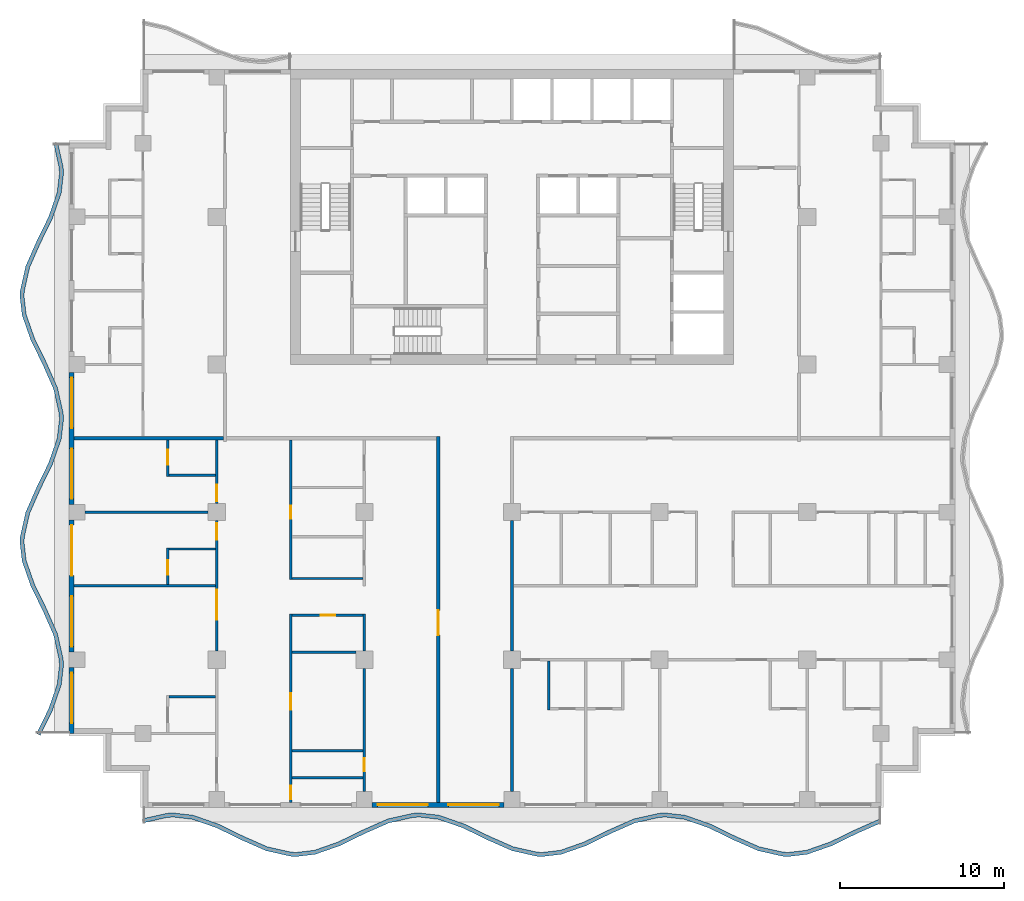
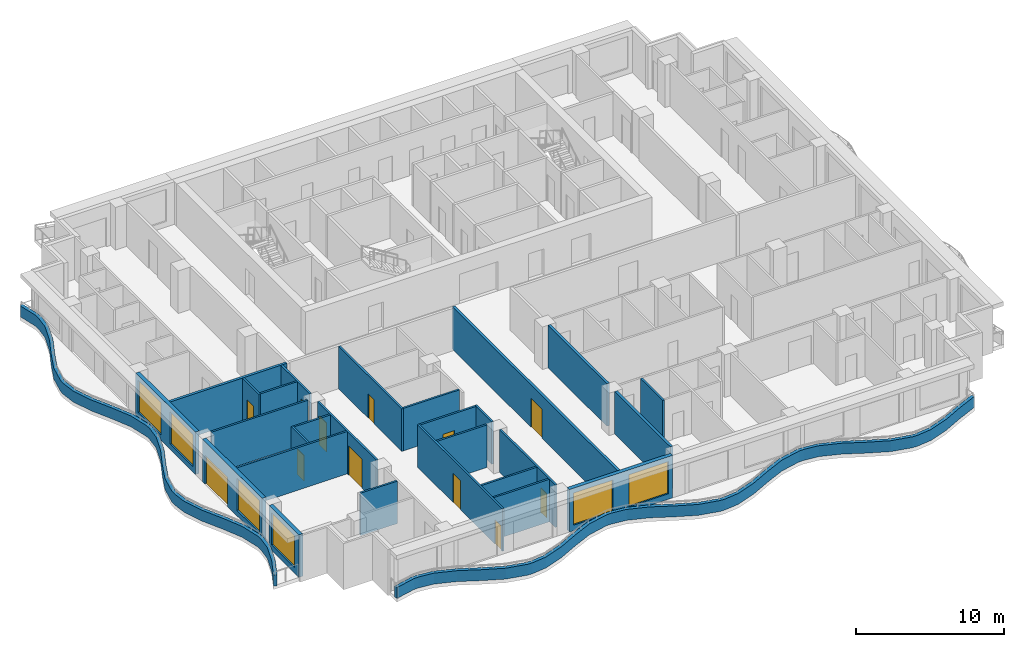
# One storey, part 2 of 11: 29 walls, 12 doors, 6 windows, 18 openings.
"""IFC4 building model written with IfcOpenShell, lengths in metres."""

from ifc_helpers import new_model, si_unit, direction, frame, frame_2d, origin, place, context, subcontext, project, spatial, polyline, rectangle, outline, extrude, material, layer, layer_set, type_object, element, fill, save


model = new_model("IFC4")

# Units and contexts
model_context = context("Model", 3, precision=1e-05, world=origin(), true_north=direction((0.0, 1.0)))
body_context = subcontext(model_context, "Body", "Model", "MODEL_VIEW")
ifc_project = project(units=[si_unit("LENGTHUNIT", "METRE"), si_unit("AREAUNIT", "SQUARE_METRE"), si_unit("VOLUMEUNIT", "CUBIC_METRE"), si_unit("PLANEANGLEUNIT", "RADIAN"), si_unit("MASSUNIT", "GRAM", prefix="KILO")], contexts=[model_context])

# Site, building, storey
site_placement = place(None, origin())
site = spatial("IfcSite", under=ifc_project, at=site_placement, CompositionType="ELEMENT")
building_placement = place(site_placement, origin())
building = spatial("IfcBuilding", under=site, at=building_placement, Name="Orbiselva Terraces", CompositionType="ELEMENT")
storey_placement = place(building_placement, frame((0.0, 0.0, 230.0)))
storey = spatial("IfcBuildingStorey", under=building, at=storey_placement, Name="L58", CompositionType="ELEMENT", Elevation=230.0)

# Walls
ifc_material_1 = material(Name="Concrete C40/50", Category="concrete")
ifc_layer_1 = layer(ifc_material_1, 0.25)
ifc_layer_set_1 = layer_set([ifc_layer_1], Name="Concrete C40/50")
wall_type_1 = type_object("IfcWallType", Name="ENV-PLANTER-250x900", PredefinedType="USERDEFINED", material=ifc_layer_set_1)
wall_1_placement = place(storey_placement, origin())
element("IfcWall", 1, at=wall_1_placement, inside=storey, type_object=wall_type_1, Name="Balcony planter L58 S", ObjectType="PLANTER", PredefinedType="USERDEFINED", context=body_context, shape_type="SweptSolid", body=[
    extrude(outline(polyline([(-22.5, -23.451472), (-21.0, -23.114774), (-20.625, -23.1), (-19.5, -23.230792), (-18.0, -23.755211), (-16.5, -24.487721), (-15.0, -25.148528), (-13.5, -25.485226), (-13.125, -25.5), (-12.0, -25.369208), (-10.5, -24.844789), (-9.0, -24.112279), (-7.5, -23.451472), (-6.0, -23.114774), (-5.625, -23.1), (-4.5, -23.230792), (-3.0, -23.755211), (-1.5, -24.487721), (0.0, -25.148528), (1.5, -25.485226), (1.875, -25.5), (3.0, -25.369208), (4.5, -24.844789), (6.0, -24.112279), (7.5, -23.451472), (9.0, -23.114774), (9.375, -23.1), (10.5, -23.230792), (12.0, -23.755211), (13.5, -24.487721), (15.0, -25.148528), (16.5, -25.485226), (16.875, -25.5), (18.0, -25.369208), (19.5, -24.844789), (21.0, -24.112279), (22.5, -23.451472), (22.399212, -23.222689), (20.894714, -23.885477), (19.40356, -24.613667), (17.943629, -25.124078), (16.865428, -25.249429), (16.532565, -25.236315), (15.078508, -24.90993), (13.605286, -24.260919), (12.09644, -23.524089), (10.556371, -22.985662), (9.384572, -22.849429), (8.967435, -22.865863), (7.421492, -23.212874), (5.894714, -23.885477), (4.40356, -24.613667), (2.943629, -25.124078), (1.865428, -25.249429), (1.532565, -25.236315), (0.078508, -24.90993), (-1.394714, -24.260919), (-2.90356, -23.524089), (-4.443629, -22.985662), (-5.615428, -22.849429), (-6.032565, -22.865863), (-7.578508, -23.212874), (-9.105286, -23.885477), (-10.59644, -24.613667), (-12.056371, -25.124078), (-13.134572, -25.249429), (-13.467435, -25.236315), (-14.921492, -24.90993), (-16.394714, -24.260919), (-17.90356, -23.524089), (-19.443629, -22.985662), (-20.615428, -22.849429), (-21.032565, -22.865863), (-22.554754, -23.207542), (-22.5, -23.451472)])), origin(), (0.0, 0.0, 1.0), 0.9),
])
wall_2_placement = place(storey_placement, origin())
element("IfcWall", 2, at=wall_2_placement, inside=storey, type_object=wall_type_1, Name="Balcony planter L58 W", ObjectType="PLANTER", PredefinedType="USERDEFINED", context=body_context, shape_type="SweptSolid", body=[
    extrude(outline(polyline([(-27.951472, 18.0), (-27.614774, 16.5), (-27.6, 16.125), (-27.730792, 15.0), (-28.255211, 13.5), (-28.987721, 12.0), (-29.648528, 10.5), (-29.985226, 9.0), (-30.0, 8.625), (-29.869208, 7.5), (-29.344789, 6.0), (-28.612279, 4.5), (-27.951472, 3.0), (-27.614774, 1.5), (-27.6, 1.125), (-27.730792, 0.0), (-28.255211, -1.5), (-28.987721, -3.0), (-29.648528, -4.5), (-29.985226, -6.0), (-30.0, -6.375), (-29.869208, -7.5), (-29.344789, -9.0), (-28.612279, -10.5), (-27.951472, -12.0), (-27.614774, -13.5), (-27.6, -13.875), (-27.730792, -15.0), (-28.255211, -16.5), (-28.987721, -18.0), (-28.763076, -18.109703), (-28.024089, -16.59644), (-27.485662, -15.056371), (-27.349429, -13.884572), (-27.365863, -13.467435), (-27.712874, -11.921492), (-28.385477, -10.394714), (-29.113667, -8.90356), (-29.624078, -7.443629), (-29.749429, -6.365428), (-29.736315, -6.032565), (-29.40993, -4.578508), (-28.760919, -3.105286), (-28.024089, -1.59644), (-27.485662, -0.056371), (-27.349429, 1.115428), (-27.365863, 1.532565), (-27.712874, 3.078508), (-28.385477, 4.605286), (-29.113667, 6.09644), (-29.624078, 7.556371), (-29.749429, 8.634572), (-29.736315, 8.967435), (-29.40993, 10.421492), (-28.760919, 11.894714), (-28.024089, 13.40356), (-27.485662, 14.943629), (-27.349429, 16.115428), (-27.365863, 16.532565), (-27.707542, 18.054754), (-27.951472, 18.0)])), origin(), (0.0, 0.0, 1.0), 0.9),
])

# Wall, openings, windows
ifc_material_2 = material(Name="Terracotta cladding on masonry backing", Category="masonry")
ifc_layer_2 = layer(ifc_material_2, 0.3)
ifc_layer_set_2 = layer_set([ifc_layer_2], Name="Terracotta cladding on masonry backing")
wall_type_2 = type_object("IfcWallType", Name="ENV-WALL-TERRACOTTA-300", PredefinedType="SOLIDWALL", material=ifc_layer_set_2)
wall_3_placement = place(storey_placement, frame((-0.475, -22.35, 0.0), z_axis=(0.0, 0.0, 1.0), x_axis=(-1.0, 0.0, 0.0)))
wall_3 = element("IfcWall", 3, at=wall_3_placement, inside=storey, type_object=wall_type_2, Name="Facade wall L58 S", PredefinedType="SOLIDWALL", context=body_context, shape_type="SweptSolid", body=[
    extrude(rectangle(XDim=8.05, YDim=0.3, at=frame_2d((4.025, 0.0))), origin(), (0.0, 0.0, 1.0), 3.5),
])
opening_1_placement = place(wall_3_placement, frame((4.65, 0.0, 0.45)))
opening_1 = element("IfcOpeningElement", 4, at=opening_1_placement, cuts=wall_3, Name="Opening WN15", PredefinedType="OPENING", context=body_context, shape_type="SweptSolid", body=[
    extrude(rectangle(XDim=3.075, YDim=2.65, at=frame_2d((1.5375, 1.325))), frame((0.0, 0.16, 0.0), z_axis=(0.0, -1.0, 0.0), x_axis=(1.0, 0.0, 0.0)), (0.0, 0.0, 1.0), 0.32),
])
opening_2_placement = place(wall_3_placement, frame((0.325, 0.0, 0.45)))
opening_2 = element("IfcOpeningElement", 5, at=opening_2_placement, cuts=wall_3, Name="Opening WN15", PredefinedType="OPENING", context=body_context, shape_type="SweptSolid", body=[
    extrude(rectangle(XDim=3.075, YDim=2.65, at=frame_2d((1.5375, 1.325))), frame((0.0, 0.16, 0.0), z_axis=(0.0, -1.0, 0.0), x_axis=(1.0, 0.0, 0.0)), (0.0, 0.0, 1.0), 0.32),
])
ifc_material_3 = material(Name="Clear low-e glazing in aluminium frame", Category="aluminium")
window_type = type_object("IfcWindowType", Name="WINDOW 3075 X 2650 S450", PartitioningType="TRIPLE_PANEL_VERTICAL", PredefinedType="WINDOW", material=ifc_material_3)
window_1_placement = place(opening_1_placement, origin())
window_1 = element("IfcWindow", 6, at=window_1_placement, inside=storey, type_object=window_type, Name="Window L58 S", OverallHeight=2.65, OverallWidth=3.075, PartitioningType="SINGLE_PANEL", PredefinedType="WINDOW", context=body_context, shape_type="SweptSolid", body=[
    extrude(rectangle(XDim=3.075, YDim=2.65, at=frame_2d((1.5375, 1.325))), frame((0.0, 0.03, 0.0), z_axis=(0.0, -1.0, 0.0), x_axis=(1.0, 0.0, 0.0)), (0.0, 0.0, 1.0), 0.06),
])
fill(opening_1, window_1)
window_2_placement = place(opening_2_placement, origin())
window_2 = element("IfcWindow", 7, at=window_2_placement, inside=storey, type_object=window_type, Name="Window L58 S", OverallHeight=2.65, OverallWidth=3.075, PartitioningType="SINGLE_PANEL", PredefinedType="WINDOW", context=body_context, shape_type="SweptSolid", body=[
    extrude(rectangle(XDim=3.075, YDim=2.65, at=frame_2d((1.5375, 1.325))), frame((0.0, 0.03, 0.0), z_axis=(0.0, -1.0, 0.0), x_axis=(1.0, 0.0, 0.0)), (0.0, 0.0, 1.0), 0.06),
])
fill(opening_2, window_2)

wall_4_placement = place(storey_placement, frame((-26.85, -4.025, 0.0), z_axis=(0.0, 0.0, 1.0), x_axis=(0.0, 1.0, 0.0)))
wall_4 = element("IfcWall", 8, at=wall_4_placement, inside=storey, type_object=wall_type_2, Name="Facade wall L58 W", PredefinedType="SOLIDWALL", context=body_context, shape_type="SweptSolid", body=[
    extrude(rectangle(XDim=8.05, YDim=0.3, at=frame_2d((4.025, 0.0))), origin(), (0.0, 0.0, 1.0), 3.5),
])
opening_3_placement = place(wall_4_placement, frame((4.65, 0.0, 0.45)))
opening_3 = element("IfcOpeningElement", 9, at=opening_3_placement, cuts=wall_4, Name="Opening WN15", PredefinedType="OPENING", context=body_context, shape_type="SweptSolid", body=[
    extrude(rectangle(XDim=3.075, YDim=2.65, at=frame_2d((1.5375, 1.325))), frame((0.0, 0.16, 0.0), z_axis=(0.0, -1.0, 0.0), x_axis=(1.0, 0.0, 0.0)), (0.0, 0.0, 1.0), 0.32),
])
opening_4_placement = place(wall_4_placement, frame((0.325, 0.0, 0.45)))
opening_4 = element("IfcOpeningElement", 10, at=opening_4_placement, cuts=wall_4, Name="Opening WN15", PredefinedType="OPENING", context=body_context, shape_type="SweptSolid", body=[
    extrude(rectangle(XDim=3.075, YDim=2.65, at=frame_2d((1.5375, 1.325))), frame((0.0, 0.16, 0.0), z_axis=(0.0, -1.0, 0.0), x_axis=(1.0, 0.0, 0.0)), (0.0, 0.0, 1.0), 0.32),
])
window_3_placement = place(opening_3_placement, origin())
window_3 = element("IfcWindow", 11, at=window_3_placement, inside=storey, type_object=window_type, Name="Window L58 W", OverallHeight=2.65, OverallWidth=3.075, PartitioningType="SINGLE_PANEL", PredefinedType="WINDOW", context=body_context, shape_type="SweptSolid", body=[
    extrude(rectangle(XDim=3.075, YDim=2.65, at=frame_2d((1.5375, 1.325))), frame((0.0, 0.03, 0.0), z_axis=(0.0, -1.0, 0.0), x_axis=(1.0, 0.0, 0.0)), (0.0, 0.0, 1.0), 0.06),
])
fill(opening_3, window_3)
window_4_placement = place(opening_4_placement, origin())
window_4 = element("IfcWindow", 12, at=window_4_placement, inside=storey, type_object=window_type, Name="Window L58 W", OverallHeight=2.65, OverallWidth=3.075, PartitioningType="SINGLE_PANEL", PredefinedType="WINDOW", context=body_context, shape_type="SweptSolid", body=[
    extrude(rectangle(XDim=3.075, YDim=2.65, at=frame_2d((1.5375, 1.325))), frame((0.0, 0.03, 0.0), z_axis=(0.0, -1.0, 0.0), x_axis=(1.0, 0.0, 0.0)), (0.0, 0.0, 1.0), 0.06),
])
fill(opening_4, window_4)

# Wall, openings, door, window
wall_5_placement = place(storey_placement, frame((-26.85, -13.025, 0.0), z_axis=(0.0, 0.0, 1.0), x_axis=(0.0, 1.0, 0.0)))
wall_5 = element("IfcWall", 13, at=wall_5_placement, inside=storey, type_object=wall_type_2, Name="Facade wall L58 W", PredefinedType="SOLIDWALL", context=body_context, shape_type="SweptSolid", body=[
    extrude(rectangle(XDim=8.05, YDim=0.3, at=frame_2d((4.025, 0.0))), origin(), (0.0, 0.0, 1.0), 3.5),
])
opening_5_placement = place(wall_5_placement, frame((4.65, 0.0, 0.0)))
opening_5 = element("IfcOpeningElement", 14, at=opening_5_placement, cuts=wall_5, Name="Opening Z4-E-E09", PredefinedType="OPENING", context=body_context, shape_type="SweptSolid", body=[
    extrude(rectangle(XDim=3.075, YDim=2.4, at=frame_2d((1.5375, 1.2))), frame((0.0, 0.16, 0.0), z_axis=(0.0, -1.0, 0.0), x_axis=(1.0, 0.0, 0.0)), (0.0, 0.0, 1.0), 0.32),
])
opening_6_placement = place(wall_5_placement, frame((0.325, 0.0, 0.45)))
opening_6 = element("IfcOpeningElement", 15, at=opening_6_placement, cuts=wall_5, Name="Opening WN15", PredefinedType="OPENING", context=body_context, shape_type="SweptSolid", body=[
    extrude(rectangle(XDim=3.075, YDim=2.65, at=frame_2d((1.5375, 1.325))), frame((0.0, 0.16, 0.0), z_axis=(0.0, -1.0, 0.0), x_axis=(1.0, 0.0, 0.0)), (0.0, 0.0, 1.0), 0.32),
])
door_type_1 = type_object("IfcDoorType", Name="BALCONY DOOR 3075 X 2400", OperationType="DOUBLE_DOOR_SLIDING", PredefinedType="DOOR", material=ifc_material_3)
door_1_placement = place(opening_5_placement, origin())
door_1 = element("IfcDoor", 16, at=door_1_placement, inside=storey, type_object=door_type_1, Name="Z4-E-E09", OperationType="SINGLE_SWING_LEFT", OverallHeight=2.4, OverallWidth=3.075, PredefinedType="DOOR", context=body_context, shape_type="SweptSolid", body=[
    extrude(rectangle(XDim=3.075, YDim=2.4, at=frame_2d((1.5375, 1.2))), frame((0.0, 0.025, 0.0), z_axis=(0.0, -1.0, 0.0), x_axis=(1.0, 0.0, 0.0)), (0.0, 0.0, 1.0), 0.05),
])
fill(opening_5, door_1)
window_5_placement = place(opening_6_placement, origin())
window_5 = element("IfcWindow", 17, at=window_5_placement, inside=storey, type_object=window_type, Name="Window L58 W", OverallHeight=2.65, OverallWidth=3.075, PartitioningType="SINGLE_PANEL", PredefinedType="WINDOW", context=body_context, shape_type="SweptSolid", body=[
    extrude(rectangle(XDim=3.075, YDim=2.65, at=frame_2d((1.5375, 1.325))), frame((0.0, 0.03, 0.0), z_axis=(0.0, -1.0, 0.0), x_axis=(1.0, 0.0, 0.0)), (0.0, 0.0, 1.0), 0.06),
])
fill(opening_6, window_5)

# Wall, opening, window
wall_6_placement = place(storey_placement, frame((-26.85, -18.0, 0.0), z_axis=(0.0, 0.0, 1.0), x_axis=(0.0, 1.0, 0.0)))
wall_6 = element("IfcWall", 18, at=wall_6_placement, inside=storey, type_object=wall_type_2, Name="Facade wall L58 W", PredefinedType="SOLIDWALL", context=body_context, shape_type="SweptSolid", body=[
    extrude(rectangle(XDim=4.025, YDim=0.3, at=frame_2d((2.0125, 0.0))), origin(), (0.0, 0.0, 1.0), 3.5),
])
opening_7_placement = place(wall_6_placement, frame((0.625, 0.0, 0.45)))
opening_7 = element("IfcOpeningElement", 19, at=opening_7_placement, cuts=wall_6, Name="Opening WN15", PredefinedType="OPENING", context=body_context, shape_type="SweptSolid", body=[
    extrude(rectangle(XDim=3.075, YDim=2.65, at=frame_2d((1.5375, 1.325))), frame((0.0, 0.16, 0.0), z_axis=(0.0, -1.0, 0.0), x_axis=(1.0, 0.0, 0.0)), (0.0, 0.0, 1.0), 0.32),
])
window_6_placement = place(opening_7_placement, origin())
window_6 = element("IfcWindow", 20, at=window_6_placement, inside=storey, type_object=window_type, Name="Window L58 W", OverallHeight=2.65, OverallWidth=3.075, PartitioningType="SINGLE_PANEL", PredefinedType="WINDOW", context=body_context, shape_type="SweptSolid", body=[
    extrude(rectangle(XDim=3.075, YDim=2.65, at=frame_2d((1.5375, 1.325))), frame((0.0, 0.03, 0.0), z_axis=(0.0, -1.0, 0.0), x_axis=(1.0, 0.0, 0.0)), (0.0, 0.0, 1.0), 0.06),
])
fill(opening_7, window_6)

# Wall, opening, door
ifc_material_4 = material(Name="Plasterboard on steel stud partition", Category="steel")
ifc_layer_3 = layer(ifc_material_4, 0.2)
ifc_layer_set_3 = layer_set([ifc_layer_3], Name="Plasterboard on steel stud partition")
wall_type_3 = type_object("IfcWallType", Name="UNIT-ENTRANCE-WALL-200", PredefinedType="PARTITIONING", material=ifc_layer_set_3)
wall_7_placement = place(storey_placement, frame((-4.5, -22.2, 0.0), z_axis=(0.0, 0.0, 1.0), x_axis=(0.0, 1.0, 0.0)))
wall_7 = element("IfcWall", 21, at=wall_7_placement, inside=storey, type_object=wall_type_3, Name="PARTITION L58-066", PredefinedType="PARTITIONING", context=body_context, shape_type="SweptSolid", body=[
    extrude(rectangle(XDim=22.3, YDim=0.2, at=frame_2d((11.15, 0.0))), origin(), (0.0, 0.0, 1.0), 3.5),
])
opening_8_placement = place(wall_7_placement, frame((10.2, 0.0, 0.0)))
opening_8 = element("IfcOpeningElement", 22, at=opening_8_placement, cuts=wall_7, Name="Opening Z4-E-18", PredefinedType="OPENING", context=body_context, shape_type="SweptSolid", body=[
    extrude(rectangle(XDim=1.5, YDim=2.4, at=frame_2d((0.75, 1.2))), frame((0.0, 0.11, 0.0), z_axis=(0.0, -1.0, 0.0), x_axis=(1.0, 0.0, 0.0)), (0.0, 0.0, 1.0), 0.22),
])
ifc_material_5 = material(Name="Painted timber door leaf", Category="wood")
door_type_2 = type_object("IfcDoorType", Name="ENTRANCE DOUBLE DOOR 1500", OperationType="NOTDEFINED", PredefinedType="DOOR", material=ifc_material_5)
door_2_placement = place(opening_8_placement, origin())
door_2 = element("IfcDoor", 23, at=door_2_placement, inside=storey, type_object=door_type_2, Name="Z4-E-18", OperationType="DOUBLE_DOOR_SINGLE_SWING", OverallHeight=2.4, OverallWidth=1.5, PredefinedType="DOOR", context=body_context, shape_type="SweptSolid", body=[
    extrude(rectangle(XDim=1.5, YDim=2.4, at=frame_2d((0.75, 1.2))), frame((0.0, 0.025, 0.0), z_axis=(0.0, -1.0, 0.0), x_axis=(1.0, 0.0, 0.0)), (0.0, 0.0, 1.0), 0.05),
])
fill(opening_8, door_2)

# Walls
wall_8_placement = place(storey_placement, frame((0.0, -21.55, 0.0), z_axis=(0.0, 0.0, 1.0), x_axis=(0.0, 1.0, 0.0)))
element("IfcWall", 24, at=wall_8_placement, inside=storey, type_object=wall_type_3, Name="PARTITION L58-067", PredefinedType="PARTITIONING", context=body_context, shape_type="SweptSolid", body=[
    extrude(rectangle(XDim=7.525, YDim=0.2, at=frame_2d((3.7625, 0.0))), origin(), (0.0, 0.0, 1.0), 3.5),
])
wall_9_placement = place(storey_placement, frame((0.0, -12.975, 0.0), z_axis=(0.0, 0.0, 1.0), x_axis=(0.0, 1.0, 0.0)))
element("IfcWall", 25, at=wall_9_placement, inside=storey, type_object=wall_type_3, Name="PARTITION L58-068", PredefinedType="PARTITIONING", context=body_context, shape_type="SweptSolid", body=[
    extrude(rectangle(XDim=7.95, YDim=0.2, at=frame_2d((3.975, 0.0))), origin(), (0.0, 0.0, 1.0), 3.5),
])
ifc_layer_4 = layer(ifc_material_4, 0.15)
ifc_layer_set_4 = layer_set([ifc_layer_4], Name="Plasterboard on steel stud partition")
wall_type_4 = type_object("IfcWallType", Name="UNIT-PARTITION-150", PredefinedType="PARTITIONING", material=ifc_layer_set_4)
for number, where, z_axis, x_axis, name in (
    (26, (-13.425, -20.7, 0.0), (0.0, 0.0, 1.0), (1.0, 0.0, 0.0), "PARTITION L58-001"),
    (27, (-13.425, -19.05, 0.0), (0.0, 0.0, 1.0), (1.0, 0.0, 0.0), "PARTITION L58-002"),
):
    element("IfcWall", number, at=place(storey_placement, frame(where, z_axis=z_axis, x_axis=x_axis)), inside=storey, type_object=wall_type_4, Name=name, PredefinedType="PARTITIONING", context=body_context, shape_type="SweptSolid", body=[
        extrude(rectangle(XDim=4.35, YDim=0.15, at=frame_2d((2.175, 0.0))), origin(), (0.0, 0.0, 1.0), 3.5),
    ])
wall_10_placement = place(storey_placement, frame((-20.925, -15.75, 0.0), z_axis=(0.0, 0.0, 1.0), x_axis=(1.0, 0.0, 0.0)))
element("IfcWall", 28, at=wall_10_placement, inside=storey, type_object=wall_type_4, Name="PARTITION L58-009", PredefinedType="PARTITIONING", context=body_context, shape_type="SweptSolid", body=[
    extrude(rectangle(XDim=2.85, YDim=0.15, at=frame_2d((1.425, 0.0))), origin(), (0.0, 0.0, 1.0), 3.5),
])
wall_11_placement = place(storey_placement, frame((-13.425, -13.05, 0.0), z_axis=(0.0, 0.0, 1.0), x_axis=(1.0, 0.0, 0.0)))
element("IfcWall", 29, at=wall_11_placement, inside=storey, type_object=wall_type_4, Name="PARTITION L58-013", PredefinedType="PARTITIONING", context=body_context, shape_type="SweptSolid", body=[
    extrude(rectangle(XDim=3.9, YDim=0.15, at=frame_2d((1.95, 0.0))), origin(), (0.0, 0.0, 1.0), 3.5),
])

# Wall, opening, door
wall_12_placement = place(storey_placement, frame((-9.075, -10.8, 0.0), z_axis=(0.0, 0.0, 1.0), x_axis=(-1.0, 0.0, 0.0)))
wall_12 = element("IfcWall", 30, at=wall_12_placement, inside=storey, type_object=wall_type_4, Name="PARTITION L58-014", PredefinedType="PARTITIONING", context=body_context, shape_type="SweptSolid", body=[
    extrude(rectangle(XDim=4.35, YDim=0.15, at=frame_2d((2.175, 0.0))), origin(), (0.0, 0.0, 1.0), 3.5),
])
opening_9_placement = place(wall_12_placement, frame((1.7, 0.0, 0.0)))
opening_9 = element("IfcOpeningElement", 31, at=opening_9_placement, cuts=wall_12, Name="Opening Z4-E-22", PredefinedType="OPENING", context=body_context, shape_type="SweptSolid", body=[
    extrude(rectangle(XDim=0.9, YDim=2.1, at=frame_2d((0.45, 1.05))), frame((0.0, 0.085, 0.0), z_axis=(0.0, -1.0, 0.0), x_axis=(1.0, 0.0, 0.0)), (0.0, 0.0, 1.0), 0.17),
])
door_type_3 = type_object("IfcDoorType", Name="BATH DOOR 900", OperationType="NOTDEFINED", PredefinedType="DOOR", material=ifc_material_5)
door_3_placement = place(opening_9_placement, origin())
door_3 = element("IfcDoor", 32, at=door_3_placement, inside=storey, type_object=door_type_3, Name="Z4-E-22", OperationType="SINGLE_SWING_LEFT", OverallHeight=2.1, OverallWidth=0.9, PredefinedType="DOOR", context=body_context, shape_type="SweptSolid", body=[
    extrude(rectangle(XDim=0.9, YDim=2.1, at=frame_2d((0.45, 1.05))), frame((0.0, 0.025, 0.0), z_axis=(0.0, -1.0, 0.0), x_axis=(1.0, 0.0, 0.0)), (0.0, 0.0, 1.0), 0.05),
])
fill(opening_9, door_3)

# Walls
wall_13_placement = place(storey_placement, frame((-26.7, -9.0, 0.0), z_axis=(0.0, 0.0, 1.0), x_axis=(1.0, 0.0, 0.0)))
element("IfcWall", 33, at=wall_13_placement, inside=storey, type_object=wall_type_4, Name="PARTITION L58-015", PredefinedType="PARTITIONING", context=body_context, shape_type="SweptSolid", body=[
    extrude(rectangle(XDim=8.625, YDim=0.15, at=frame_2d((4.3125, 0.0))), origin(), (0.0, 0.0, 1.0), 3.5),
])
wall_14_placement = place(storey_placement, frame((-13.425, -8.55, 0.0), z_axis=(0.0, 0.0, 1.0), x_axis=(1.0, 0.0, 0.0)))
element("IfcWall", 34, at=wall_14_placement, inside=storey, type_object=wall_type_4, Name="PARTITION L58-018", PredefinedType="PARTITIONING", context=body_context, shape_type="SweptSolid", body=[
    extrude(rectangle(XDim=4.35, YDim=0.15, at=frame_2d((2.175, 0.0))), origin(), (0.0, 0.0, 1.0), 3.5),
])
wall_15_placement = place(storey_placement, frame((-20.925, -6.75, 0.0), z_axis=(0.0, 0.0, 1.0), x_axis=(1.0, 0.0, 0.0)))
element("IfcWall", 35, at=wall_15_placement, inside=storey, type_object=wall_type_4, Name="PARTITION L58-019", PredefinedType="PARTITIONING", context=body_context, shape_type="SweptSolid", body=[
    extrude(rectangle(XDim=2.85, YDim=0.15, at=frame_2d((1.425, 0.0))), origin(), (0.0, 0.0, 1.0), 3.5),
])
wall_16_placement = place(storey_placement, frame((-26.05, -4.5, 0.0), z_axis=(0.0, 0.0, 1.0), x_axis=(1.0, 0.0, 0.0)))
element("IfcWall", 36, at=wall_16_placement, inside=storey, type_object=wall_type_4, Name="PARTITION L58-021", PredefinedType="PARTITIONING", context=body_context, shape_type="SweptSolid", body=[
    extrude(rectangle(XDim=7.525, YDim=0.15, at=frame_2d((3.7625, 0.0))), origin(), (0.0, 0.0, 1.0), 3.5),
])
wall_17_placement = place(storey_placement, frame((-20.925, -2.25, 0.0), z_axis=(0.0, 0.0, 1.0), x_axis=(1.0, 0.0, 0.0)))
element("IfcWall", 37, at=wall_17_placement, inside=storey, type_object=wall_type_4, Name="PARTITION L58-027", PredefinedType="PARTITIONING", context=body_context, shape_type="SweptSolid", body=[
    extrude(rectangle(XDim=2.85, YDim=0.15, at=frame_2d((1.425, 0.0))), origin(), (0.0, 0.0, 1.0), 3.5),
])

# Wall, opening, door
wall_18_placement = place(storey_placement, frame((-21.0, -6.675, 0.0), z_axis=(0.0, 0.0, 1.0), x_axis=(0.0, -1.0, 0.0)))
wall_18 = element("IfcWall", 38, at=wall_18_placement, inside=storey, type_object=wall_type_4, Name="PARTITION L58-052", PredefinedType="PARTITIONING", context=body_context, shape_type="SweptSolid", body=[
    extrude(rectangle(XDim=2.25, YDim=0.15, at=frame_2d((1.125, 0.0))), origin(), (0.0, 0.0, 1.0), 3.5),
])
opening_10_placement = place(wall_18_placement, frame((0.75, 0.0, 0.0)))
opening_10 = element("IfcOpeningElement", 39, at=opening_10_placement, cuts=wall_18, Name="Opening Z4-E-30", PredefinedType="OPENING", context=body_context, shape_type="SweptSolid", body=[
    extrude(rectangle(XDim=0.9, YDim=2.1, at=frame_2d((0.45, 1.05))), frame((0.0, 0.085, 0.0), z_axis=(0.0, -1.0, 0.0), x_axis=(1.0, 0.0, 0.0)), (0.0, 0.0, 1.0), 0.17),
])
door_4_placement = place(opening_10_placement, origin())
door_4 = element("IfcDoor", 40, at=door_4_placement, inside=storey, type_object=door_type_3, Name="Z4-E-30", OperationType="SINGLE_SWING_RIGHT", OverallHeight=2.1, OverallWidth=0.9, PredefinedType="DOOR", context=body_context, shape_type="SweptSolid", body=[
    extrude(rectangle(XDim=0.9, YDim=2.1, at=frame_2d((0.45, 1.05))), frame((0.0, 0.025, 0.0), z_axis=(0.0, -1.0, 0.0), x_axis=(1.0, 0.0, 0.0)), (0.0, 0.0, 1.0), 0.05),
])
fill(opening_10, door_4)

wall_19_placement = place(storey_placement, frame((-21.0, -0.1, 0.0), z_axis=(0.0, 0.0, 1.0), x_axis=(0.0, -1.0, 0.0)))
wall_19 = element("IfcWall", 41, at=wall_19_placement, inside=storey, type_object=wall_type_4, Name="PARTITION L58-053", PredefinedType="PARTITIONING", context=body_context, shape_type="SweptSolid", body=[
    extrude(rectangle(XDim=2.225, YDim=0.15, at=frame_2d((1.1125, 0.0))), origin(), (0.0, 0.0, 1.0), 3.5),
])
opening_11_placement = place(wall_19_placement, frame((0.6, 0.0, 0.0)))
opening_11 = element("IfcOpeningElement", 42, at=opening_11_placement, cuts=wall_19, Name="Opening Z4-E-32", PredefinedType="OPENING", context=body_context, shape_type="SweptSolid", body=[
    extrude(rectangle(XDim=0.9, YDim=2.1, at=frame_2d((0.45, 1.05))), frame((0.0, 0.085, 0.0), z_axis=(0.0, -1.0, 0.0), x_axis=(1.0, 0.0, 0.0)), (0.0, 0.0, 1.0), 0.17),
])
door_5_placement = place(opening_11_placement, origin())
door_5 = element("IfcDoor", 43, at=door_5_placement, inside=storey, type_object=door_type_3, Name="Z4-E-32", OperationType="SINGLE_SWING_LEFT", OverallHeight=2.1, OverallWidth=0.9, PredefinedType="DOOR", context=body_context, shape_type="SweptSolid", body=[
    extrude(rectangle(XDim=0.9, YDim=2.1, at=frame_2d((0.45, 1.05))), frame((0.0, 0.025, 0.0), z_axis=(0.0, -1.0, 0.0), x_axis=(1.0, 0.0, 0.0)), (0.0, 0.0, 1.0), 0.05),
])
fill(opening_11, door_5)

# Wall, openings, doors
wall_20_placement = place(storey_placement, frame((-18.0, -12.975, 0.0), z_axis=(0.0, 0.0, 1.0), x_axis=(0.0, 1.0, 0.0)))
wall_20 = element("IfcWall", 44, at=wall_20_placement, inside=storey, type_object=wall_type_4, Name="PARTITION L58-055", PredefinedType="PARTITIONING", context=body_context, shape_type="SweptSolid", body=[
    extrude(rectangle(XDim=7.95, YDim=0.15, at=frame_2d((3.975, 0.0))), origin(), (0.0, 0.0, 1.0), 3.5),
])
opening_12_placement = place(wall_20_placement, frame((1.925, 0.0, 0.0)))
opening_12 = element("IfcOpeningElement", 45, at=opening_12_placement, cuts=wall_20, Name="Opening Z4-E-27", PredefinedType="OPENING", context=body_context, shape_type="SweptSolid", body=[
    extrude(rectangle(XDim=1.8, YDim=2.4, at=frame_2d((0.9, 1.2))), frame((0.0, 0.085, 0.0), z_axis=(0.0, -1.0, 0.0), x_axis=(1.0, 0.0, 0.0)), (0.0, 0.0, 1.0), 0.17),
])
opening_13_placement = place(wall_20_placement, frame((6.8, 0.0, 0.0)))
opening_13 = element("IfcOpeningElement", 46, at=opening_13_placement, cuts=wall_20, Name="Opening Z4-E-29", PredefinedType="OPENING", context=body_context, shape_type="SweptSolid", body=[
    extrude(rectangle(XDim=1.0, YDim=2.4, at=frame_2d((0.5, 1.2))), frame((0.0, 0.085, 0.0), z_axis=(0.0, -1.0, 0.0), x_axis=(1.0, 0.0, 0.0)), (0.0, 0.0, 1.0), 0.17),
])
door_type_4 = type_object("IfcDoorType", Name="DOUBLE DOOR 1800", OperationType="NOTDEFINED", PredefinedType="DOOR", material=ifc_material_5)
door_6_placement = place(opening_12_placement, origin())
door_6 = element("IfcDoor", 47, at=door_6_placement, inside=storey, type_object=door_type_4, Name="Z4-E-27", OperationType="DOUBLE_DOOR_SINGLE_SWING", OverallHeight=2.4, OverallWidth=1.8, PredefinedType="DOOR", context=body_context, shape_type="SweptSolid", body=[
    extrude(rectangle(XDim=1.8, YDim=2.4, at=frame_2d((0.9, 1.2))), frame((0.0, 0.025, 0.0), z_axis=(0.0, -1.0, 0.0), x_axis=(1.0, 0.0, 0.0)), (0.0, 0.0, 1.0), 0.05),
])
fill(opening_12, door_6)
door_type_5 = type_object("IfcDoorType", Name="ROOM DOOR 1000", OperationType="NOTDEFINED", PredefinedType="DOOR", material=ifc_material_5)
door_7_placement = place(opening_13_placement, origin())
door_7 = element("IfcDoor", 48, at=door_7_placement, inside=storey, type_object=door_type_5, Name="Z4-E-29", OperationType="SINGLE_SWING_RIGHT", OverallHeight=2.4, OverallWidth=1.0, PredefinedType="DOOR", context=body_context, shape_type="SweptSolid", body=[
    extrude(rectangle(XDim=1.0, YDim=2.4, at=frame_2d((0.5, 1.2))), frame((0.0, 0.025, 0.0), z_axis=(0.0, -1.0, 0.0), x_axis=(1.0, 0.0, 0.0)), (0.0, 0.0, 1.0), 0.05),
])
fill(opening_13, door_7)

# Wall, opening, door
wall_21_placement = place(storey_placement, frame((-18.0, -3.975, 0.0), z_axis=(0.0, 0.0, 1.0), x_axis=(0.0, 1.0, 0.0)))
wall_21 = element("IfcWall", 49, at=wall_21_placement, inside=storey, type_object=wall_type_4, Name="PARTITION L58-056", PredefinedType="PARTITIONING", context=body_context, shape_type="SweptSolid", body=[
    extrude(rectangle(XDim=3.875, YDim=0.15, at=frame_2d((1.9375, 0.0))), origin(), (0.0, 0.0, 1.0), 3.5),
])
opening_14_placement = place(wall_21_placement, frame((0.15, 0.0, 0.0)))
opening_14 = element("IfcOpeningElement", 50, at=opening_14_placement, cuts=wall_21, Name="Opening Z4-E-31", PredefinedType="OPENING", context=body_context, shape_type="SweptSolid", body=[
    extrude(rectangle(XDim=1.0, YDim=2.4, at=frame_2d((0.5, 1.2))), frame((0.0, 0.085, 0.0), z_axis=(0.0, -1.0, 0.0), x_axis=(1.0, 0.0, 0.0)), (0.0, 0.0, 1.0), 0.17),
])
door_8_placement = place(opening_14_placement, origin())
door_8 = element("IfcDoor", 51, at=door_8_placement, inside=storey, type_object=door_type_5, Name="Z4-E-31", OperationType="SINGLE_SWING_LEFT", OverallHeight=2.4, OverallWidth=1.0, PredefinedType="DOOR", context=body_context, shape_type="SweptSolid", body=[
    extrude(rectangle(XDim=1.0, YDim=2.4, at=frame_2d((0.5, 1.2))), frame((0.0, 0.025, 0.0), z_axis=(0.0, -1.0, 0.0), x_axis=(1.0, 0.0, 0.0)), (0.0, 0.0, 1.0), 0.05),
])
fill(opening_14, door_8)

# Wall, openings, doors
wall_22_placement = place(storey_placement, frame((-13.5, -10.725, 0.0), z_axis=(0.0, 0.0, 1.0), x_axis=(0.0, -1.0, 0.0)))
wall_22 = element("IfcWall", 52, at=wall_22_placement, inside=storey, type_object=wall_type_4, Name="PARTITION L58-060", PredefinedType="PARTITIONING", context=body_context, shape_type="SweptSolid", body=[
    extrude(rectangle(XDim=11.475, YDim=0.15, at=frame_2d((5.7375, 0.0))), origin(), (0.0, 0.0, 1.0), 3.5),
])
opening_15_placement = place(wall_22_placement, frame((10.475, 0.0, 0.0)))
opening_15 = element("IfcOpeningElement", 53, at=opening_15_placement, cuts=wall_22, Name="Opening Z4-E-19", PredefinedType="OPENING", context=body_context, shape_type="SweptSolid", body=[
    extrude(rectangle(XDim=0.8, YDim=2.0, at=frame_2d((0.4, 1.0))), frame((0.0, 0.085, 0.0), z_axis=(0.0, -1.0, 0.0), x_axis=(1.0, 0.0, 0.0)), (0.0, 0.0, 1.0), 0.17),
])
opening_16_placement = place(wall_22_placement, frame((4.825, 0.0, 0.0)))
opening_16 = element("IfcOpeningElement", 54, at=opening_16_placement, cuts=wall_22, Name="Opening Z4-E-21", PredefinedType="OPENING", context=body_context, shape_type="SweptSolid", body=[
    extrude(rectangle(XDim=1.0, YDim=2.4, at=frame_2d((0.5, 1.2))), frame((0.0, 0.085, 0.0), z_axis=(0.0, -1.0, 0.0), x_axis=(1.0, 0.0, 0.0)), (0.0, 0.0, 1.0), 0.17),
])
door_9_placement = place(opening_16_placement, origin())
door_9 = element("IfcDoor", 55, at=door_9_placement, inside=storey, type_object=door_type_5, Name="Z4-E-21", OperationType="SINGLE_SWING_LEFT", OverallHeight=2.4, OverallWidth=1.0, PredefinedType="DOOR", context=body_context, shape_type="SweptSolid", body=[
    extrude(rectangle(XDim=1.0, YDim=2.4, at=frame_2d((0.5, 1.2))), frame((0.0, 0.025, 0.0), z_axis=(0.0, -1.0, 0.0), x_axis=(1.0, 0.0, 0.0)), (0.0, 0.0, 1.0), 0.05),
])
fill(opening_16, door_9)
door_type_6 = type_object("IfcDoorType", Name="STORE DOOR 800", OperationType="NOTDEFINED", PredefinedType="DOOR", material=ifc_material_5)
door_10_placement = place(opening_15_placement, origin())
door_10 = element("IfcDoor", 56, at=door_10_placement, inside=storey, type_object=door_type_6, Name="Z4-E-19", OperationType="SINGLE_SWING_RIGHT", OverallHeight=2.0, OverallWidth=0.8, PredefinedType="DOOR", context=body_context, shape_type="SweptSolid", body=[
    extrude(rectangle(XDim=0.8, YDim=2.0, at=frame_2d((0.4, 1.0))), frame((0.0, 0.025, 0.0), z_axis=(0.0, -1.0, 0.0), x_axis=(1.0, 0.0, 0.0)), (0.0, 0.0, 1.0), 0.05),
])
fill(opening_15, door_10)

# Wall, opening, door
wall_23_placement = place(storey_placement, frame((-13.5, -0.1, 0.0), z_axis=(0.0, 0.0, 1.0), x_axis=(0.0, -1.0, 0.0)))
wall_23 = element("IfcWall", 57, at=wall_23_placement, inside=storey, type_object=wall_type_4, Name="PARTITION L58-061", PredefinedType="PARTITIONING", context=body_context, shape_type="SweptSolid", body=[
    extrude(rectangle(XDim=8.525, YDim=0.15, at=frame_2d((4.2625, 0.0))), origin(), (0.0, 0.0, 1.0), 3.5),
])
opening_17_placement = place(wall_23_placement, frame((4.0, 0.0, 0.0)))
opening_17 = element("IfcOpeningElement", 58, at=opening_17_placement, cuts=wall_23, Name="Opening Z4-E-24", PredefinedType="OPENING", context=body_context, shape_type="SweptSolid", body=[
    extrude(rectangle(XDim=0.8, YDim=2.0, at=frame_2d((0.4, 1.0))), frame((0.0, 0.085, 0.0), z_axis=(0.0, -1.0, 0.0), x_axis=(1.0, 0.0, 0.0)), (0.0, 0.0, 1.0), 0.17),
])
door_11_placement = place(opening_17_placement, origin())
door_11 = element("IfcDoor", 59, at=door_11_placement, inside=storey, type_object=door_type_6, Name="Z4-E-24", OperationType="SINGLE_SWING_RIGHT", OverallHeight=2.0, OverallWidth=0.8, PredefinedType="DOOR", context=body_context, shape_type="SweptSolid", body=[
    extrude(rectangle(XDim=0.8, YDim=2.0, at=frame_2d((0.4, 1.0))), frame((0.0, 0.025, 0.0), z_axis=(0.0, -1.0, 0.0), x_axis=(1.0, 0.0, 0.0)), (0.0, 0.0, 1.0), 0.05),
])
fill(opening_17, door_11)

wall_24_placement = place(storey_placement, frame((-9.0, -21.55, 0.0), z_axis=(0.0, 0.0, 1.0), x_axis=(0.0, 1.0, 0.0)))
wall_24 = element("IfcWall", 60, at=wall_24_placement, inside=storey, type_object=wall_type_4, Name="PARTITION L58-062", PredefinedType="PARTITIONING", context=body_context, shape_type="SweptSolid", body=[
    extrude(rectangle(XDim=7.525, YDim=0.15, at=frame_2d((3.7625, 0.0))), origin(), (0.0, 0.0, 1.0), 3.5),
])
opening_18_placement = place(wall_24_placement, frame((1.25, 0.0, 0.0)))
opening_18 = element("IfcOpeningElement", 61, at=opening_18_placement, cuts=wall_24, Name="Opening Z4-E-20", PredefinedType="OPENING", context=body_context, shape_type="SweptSolid", body=[
    extrude(rectangle(XDim=0.8, YDim=2.0, at=frame_2d((0.4, 1.0))), frame((0.0, 0.085, 0.0), z_axis=(0.0, -1.0, 0.0), x_axis=(1.0, 0.0, 0.0)), (0.0, 0.0, 1.0), 0.17),
])
door_12_placement = place(opening_18_placement, origin())
door_12 = element("IfcDoor", 62, at=door_12_placement, inside=storey, type_object=door_type_6, Name="Z4-E-20", OperationType="SINGLE_SWING_LEFT", OverallHeight=2.0, OverallWidth=0.8, PredefinedType="DOOR", context=body_context, shape_type="SweptSolid", body=[
    extrude(rectangle(XDim=0.8, YDim=2.0, at=frame_2d((0.4, 1.0))), frame((0.0, 0.025, 0.0), z_axis=(0.0, -1.0, 0.0), x_axis=(1.0, 0.0, 0.0)), (0.0, 0.0, 1.0), 0.05),
])
fill(opening_18, door_12)

# Walls
wall_25_placement = place(storey_placement, frame((-9.0, -12.975, 0.0), z_axis=(0.0, 0.0, 1.0), x_axis=(0.0, 1.0, 0.0)))
element("IfcWall", 63, at=wall_25_placement, inside=storey, type_object=wall_type_4, Name="PARTITION L58-063", PredefinedType="PARTITIONING", context=body_context, shape_type="SweptSolid", body=[
    extrude(rectangle(XDim=2.25, YDim=0.15, at=frame_2d((1.125, 0.0))), origin(), (0.0, 0.0, 1.0), 3.5),
])
wall_26_placement = place(storey_placement, frame((2.25, -16.575, 0.0), z_axis=(0.0, 0.0, 1.0), x_axis=(0.0, 1.0, 0.0)))
element("IfcWall", 64, at=wall_26_placement, inside=storey, type_object=wall_type_4, Name="PARTITION L58-070", PredefinedType="PARTITIONING", context=body_context, shape_type="SweptSolid", body=[
    extrude(rectangle(XDim=3.0, YDim=0.15, at=frame_2d((1.5, 0.0))), origin(), (0.0, 0.0, 1.0), 3.5),
])
ifc_layer_5 = layer(ifc_material_4, 0.2)
ifc_layer_set_5 = layer_set([ifc_layer_5], Name="Plasterboard on steel stud partition")
wall_type_5 = type_object("IfcWallType", Name="UNIT-PARTY-WALL-200", PredefinedType="PARTITIONING", material=ifc_layer_set_5)
wall_27_placement = place(storey_placement, frame((-26.7, 0.0, 0.0), z_axis=(0.0, 0.0, 1.0), x_axis=(1.0, 0.0, 0.0)))
element("IfcWall", 65, at=wall_27_placement, inside=storey, type_object=wall_type_5, Name="PARTITION L58-030", PredefinedType="PARTITIONING", context=body_context, shape_type="SweptSolid", body=[
    extrude(rectangle(XDim=9.1, YDim=0.2, at=frame_2d((4.55, 0.0))), origin(), (0.0, 0.0, 1.0), 3.5),
])

save(model, "model.ifc")
